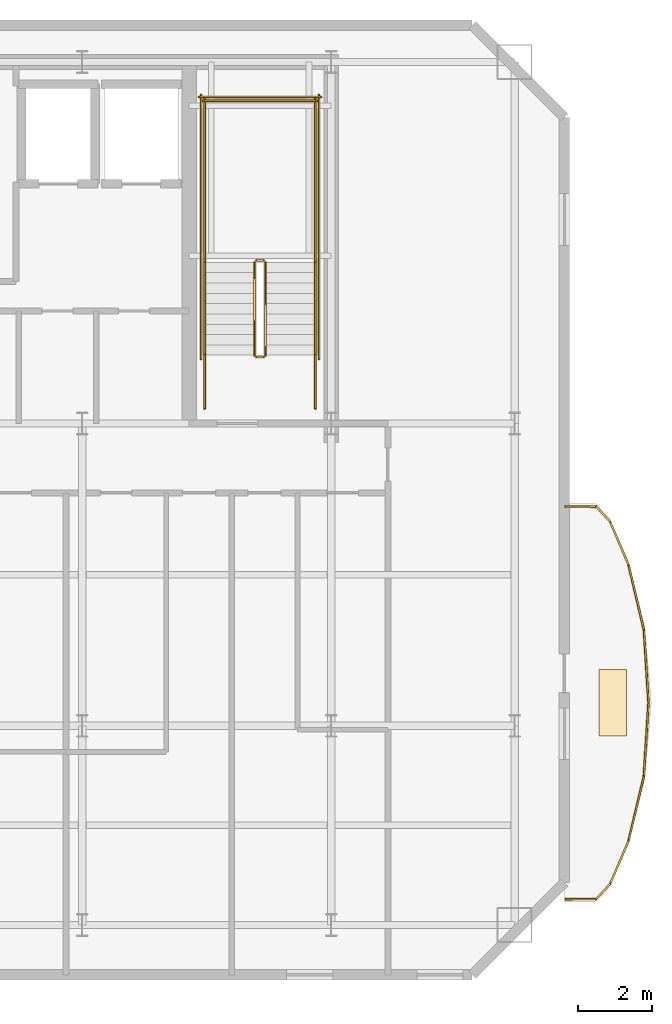
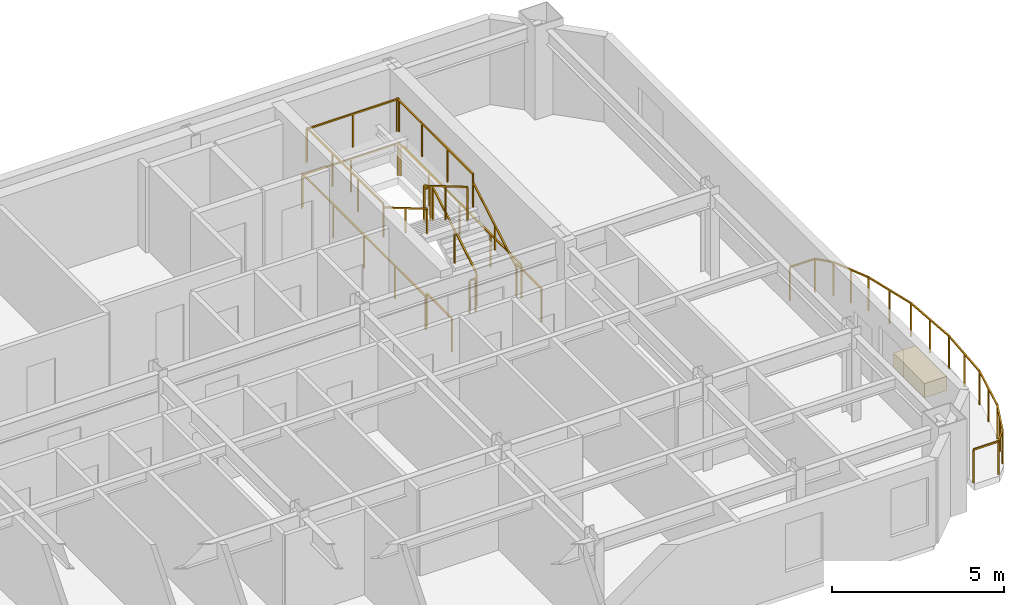
# One storey, part 6 of 6: 24 railings, 1 covering.
"""IFC4 building model written with IfcOpenShell, lengths in metres."""

from ifc_helpers import new_model, si_unit, direction, frame, origin, origin_2d, place, context, subcontext, project, spatial, rectangle, extrude, material, layer, layer_set, type_object, element, save


model = new_model("IFC4")

# Units and contexts
model_context = context("Model", 3, precision=1e-05, world=origin(), true_north=direction((0.0, 1.0)))
body_context = subcontext(model_context, "Body", "Model", "MODEL_VIEW")
ifc_project = project(units=[si_unit("LENGTHUNIT", "METRE"), si_unit("AREAUNIT", "SQUARE_METRE"), si_unit("VOLUMEUNIT", "CUBIC_METRE"), si_unit("PLANEANGLEUNIT", "RADIAN"), si_unit("MASSUNIT", "GRAM", prefix="KILO")], contexts=[model_context])

# Site, building, storey
site_placement = place(None, origin())
site = spatial("IfcSite", under=ifc_project, at=site_placement, CompositionType="ELEMENT")
building_placement = place(site_placement, origin())
building = spatial("IfcBuilding", under=site, at=building_placement, Name="Haevon Station Towers", CompositionType="ELEMENT")
storey_placement = place(building_placement, frame((0.0, 0.0, 252.60009765625)))
storey = spatial("IfcBuildingStorey", under=building, at=storey_placement, Name="L70", CompositionType="ELEMENT", Elevation=252.60009765625)

# Railings
ifc_material_1 = material(Name="Steel S355", Category="steel")
railing_type_1 = type_object("IfcRailingType", Name="GRD-EXT1200", PredefinedType="GUARDRAIL", material=ifc_material_1)
railing_1_placement = place(storey_placement, frame((57.348876953125, 25.302734375, 0.0)))
element("IfcRailing", 1, at=railing_1_placement, inside=storey, type_object=railing_type_1, Name="L70 Perimeter Guardrail 1", PredefinedType="GUARDRAIL", context=body_context, shape_type="SweptSolid", body=[
    extrude(rectangle(XDim=0.048095703125, YDim=0.048095703125, at=origin_2d()), frame((0.0, 0.0, 1.17578125), z_axis=(0.999997283225, 0.002330995998, 0.0), x_axis=(-0.002330995998, 0.999997283225, 0.0)), (0.0, 0.0, 1.0), 0.837890625),
    extrude(rectangle(XDim=0.0419921875, YDim=0.0419921875, at=origin_2d()), origin(), (0.0, 0.0, 1.0), 1.15185546875),
    extrude(rectangle(XDim=0.0419921875, YDim=0.0419921875, at=origin_2d()), frame((0.837890625, 0.001953125, 0.0)), (0.0, 0.0, 1.0), 1.15185546875),
])
railing_2_placement = place(storey_placement, frame((58.186767578125, 25.3046875, 0.0)))
element("IfcRailing", 2, at=railing_2_placement, inside=storey, type_object=railing_type_1, Name="L70 Perimeter Guardrail 2", PredefinedType="GUARDRAIL", context=body_context, shape_type="SweptSolid", body=[
    extrude(rectangle(XDim=0.048095703125, YDim=0.048095703125, at=origin_2d()), frame((0.0, 0.0, 1.17578125), z_axis=(0.676061194254, 0.736845480154, 0.0), x_axis=(-0.736845480154, 0.676061194254, 0.0)), (0.0, 0.0, 1.0), 0.558349609375),
    extrude(rectangle(XDim=0.0419921875, YDim=0.0419921875, at=origin_2d()), origin(), (0.0, 0.0, 1.0), 1.15185546875),
    extrude(rectangle(XDim=0.0419921875, YDim=0.0419921875, at=origin_2d()), frame((0.37744140625, 0.411376953125, 0.0)), (0.0, 0.0, 1.0), 1.15185546875),
])
railing_3_placement = place(storey_placement, frame((58.564208984375, 25.716064453125, 0.0)))
element("IfcRailing", 3, at=railing_3_placement, inside=storey, type_object=railing_type_1, Name="L70 Perimeter Guardrail 3", PredefinedType="GUARDRAIL", context=body_context, shape_type="SweptSolid", body=[
    extrude(rectangle(XDim=0.048095703125, YDim=0.048095703125, at=origin_2d()), frame((0.0, 0.0, 1.17578125), z_axis=(0.39299272826, 0.919541579014, 0.0), x_axis=(-0.919541579014, 0.39299272826, 0.0)), (0.0, 0.0, 1.0), 1.272216796875),
    extrude(rectangle(XDim=0.0419921875, YDim=0.0419921875, at=origin_2d()), origin(), (0.0, 0.0, 1.0), 1.15185546875),
    extrude(rectangle(XDim=0.0419921875, YDim=0.0419921875, at=origin_2d()), frame((0.25, 0.5849609375, 0.0)), (0.0, 0.0, 1.0), 1.15185546875),
    extrude(rectangle(XDim=0.0419921875, YDim=0.0419921875, at=origin_2d()), frame((0.5, 1.169921875, 0.0)), (0.0, 0.0, 1.0), 1.15185546875),
])
railing_4_placement = place(storey_placement, frame((59.064208984375, 26.885986328125, 0.0)))
element("IfcRailing", 4, at=railing_4_placement, inside=storey, type_object=railing_type_1, Name="L70 Perimeter Guardrail 4", PredefinedType="GUARDRAIL", context=body_context, shape_type="SweptSolid", body=[
    extrude(rectangle(XDim=0.048095703125, YDim=0.048095703125, at=origin_2d()), frame((0.0, 0.0, 1.17578125), z_axis=(0.230320614681, 0.973114800244, 0.0), x_axis=(-0.973114800244, 0.230320614681, 0.0)), (0.0, 0.0, 1.0), 1.794677734375),
    extrude(rectangle(XDim=0.0419921875, YDim=0.0419921875, at=origin_2d()), origin(), (0.0, 0.0, 1.0), 1.15185546875),
    extrude(rectangle(XDim=0.0419921875, YDim=0.0419921875, at=origin_2d()), frame((0.20654296875, 0.873046875, 0.0)), (0.0, 0.0, 1.0), 1.15185546875),
    extrude(rectangle(XDim=0.0419921875, YDim=0.0419921875, at=origin_2d()), frame((0.413330078125, 1.746337890625, 0.0)), (0.0, 0.0, 1.0), 1.15185546875),
])
railing_5_placement = place(storey_placement, frame((59.4775390625, 28.63232421875, 0.0)))
element("IfcRailing", 5, at=railing_5_placement, inside=storey, type_object=railing_type_1, Name="L70 Perimeter Guardrail 5", PredefinedType="GUARDRAIL", context=body_context, shape_type="SweptSolid", body=[
    extrude(rectangle(XDim=0.048095703125, YDim=0.048095703125, at=origin_2d()), frame((0.0, 0.0, 1.17578125), z_axis=(0.063215626586, 0.997999892062, 0.0), x_axis=(-0.997999892062, 0.063215626586, 0.0)), (0.0, 0.0, 1.0), 1.99658203125),
    extrude(rectangle(XDim=0.0419921875, YDim=0.0419921875, at=origin_2d()), origin(), (0.0, 0.0, 1.0), 1.15185546875),
    extrude(rectangle(XDim=0.0419921875, YDim=0.0419921875, at=origin_2d()), frame((0.06298828125, 0.996337890625, 0.0)), (0.0, 0.0, 1.0), 1.15185546875),
    extrude(rectangle(XDim=0.0419921875, YDim=0.0419921875, at=origin_2d()), frame((0.126220703125, 1.99267578125, 0.0)), (0.0, 0.0, 1.0), 1.15185546875),
])
railing_6_placement = place(storey_placement, frame((59.603759765625, 30.625, 0.0)))
element("IfcRailing", 6, at=railing_6_placement, inside=storey, type_object=railing_type_1, Name="L70 Perimeter Guardrail 6", PredefinedType="GUARDRAIL", context=body_context, shape_type="SweptSolid", body=[
    extrude(rectangle(XDim=0.048095703125, YDim=0.048095703125, at=origin_2d()), frame((0.0, 0.0, 1.17578125), z_axis=(-0.063215626586, 0.997999892062, 0.0), x_axis=(-0.997999892062, -0.063215626586, 0.0)), (0.0, 0.0, 1.0), 1.99658203125),
    extrude(rectangle(XDim=0.0419921875, YDim=0.0419921875, at=origin_2d()), origin(), (0.0, 0.0, 1.0), 1.15185546875),
    extrude(rectangle(XDim=0.0419921875, YDim=0.0419921875, at=origin_2d()), frame((-0.06298828125, 0.996337890625, 0.0)), (0.0, 0.0, 1.0), 1.15185546875),
    extrude(rectangle(XDim=0.0419921875, YDim=0.0419921875, at=origin_2d()), frame((-0.126220703125, 1.99267578125, 0.0)), (0.0, 0.0, 1.0), 1.15185546875),
])
railing_7_placement = place(storey_placement, frame((59.4775390625, 32.61767578125, 0.0)))
element("IfcRailing", 7, at=railing_7_placement, inside=storey, type_object=railing_type_1, Name="L70 Perimeter Guardrail 7", PredefinedType="GUARDRAIL", context=body_context, shape_type="SweptSolid", body=[
    extrude(rectangle(XDim=0.048095703125, YDim=0.048095703125, at=origin_2d()), frame((0.0, 0.0, 1.17578125), z_axis=(-0.230320614681, 0.973114800244, 0.0), x_axis=(-0.973114800244, -0.230320614681, 0.0)), (0.0, 0.0, 1.0), 1.794677734375),
    extrude(rectangle(XDim=0.0419921875, YDim=0.0419921875, at=origin_2d()), origin(), (0.0, 0.0, 1.0), 1.15185546875),
    extrude(rectangle(XDim=0.0419921875, YDim=0.0419921875, at=origin_2d()), frame((-0.20654296875, 0.873046875, 0.0)), (0.0, 0.0, 1.0), 1.15185546875),
    extrude(rectangle(XDim=0.0419921875, YDim=0.0419921875, at=origin_2d()), frame((-0.413330078125, 1.746337890625, 0.0)), (0.0, 0.0, 1.0), 1.15185546875),
])
railing_8_placement = place(storey_placement, frame((59.064208984375, 34.364013671875, 0.0)))
element("IfcRailing", 8, at=railing_8_placement, inside=storey, type_object=railing_type_1, Name="L70 Perimeter Guardrail 8", PredefinedType="GUARDRAIL", context=body_context, shape_type="SweptSolid", body=[
    extrude(rectangle(XDim=0.048095703125, YDim=0.048095703125, at=origin_2d()), frame((0.0, 0.0, 1.17578125), z_axis=(-0.39299272826, 0.919541579014, 0.0), x_axis=(-0.919541579014, -0.39299272826, 0.0)), (0.0, 0.0, 1.0), 1.272216796875),
    extrude(rectangle(XDim=0.0419921875, YDim=0.0419921875, at=origin_2d()), origin(), (0.0, 0.0, 1.0), 1.15185546875),
    extrude(rectangle(XDim=0.0419921875, YDim=0.0419921875, at=origin_2d()), frame((-0.25, 0.5849609375, 0.0)), (0.0, 0.0, 1.0), 1.15185546875),
    extrude(rectangle(XDim=0.0419921875, YDim=0.0419921875, at=origin_2d()), frame((-0.5, 1.169921875, 0.0)), (0.0, 0.0, 1.0), 1.15185546875),
])
railing_9_placement = place(storey_placement, frame((58.564208984375, 35.533935546875, 0.0)))
element("IfcRailing", 9, at=railing_9_placement, inside=storey, type_object=railing_type_1, Name="L70 Perimeter Guardrail 9", PredefinedType="GUARDRAIL", context=body_context, shape_type="SweptSolid", body=[
    extrude(rectangle(XDim=0.048095703125, YDim=0.048095703125, at=origin_2d()), frame((0.0, 0.0, 1.17578125), z_axis=(-0.676061194254, 0.736845480154, 0.0), x_axis=(-0.736845480154, -0.676061194254, 0.0)), (0.0, 0.0, 1.0), 0.558349609375),
    extrude(rectangle(XDim=0.0419921875, YDim=0.0419921875, at=origin_2d()), origin(), (0.0, 0.0, 1.0), 1.15185546875),
    extrude(rectangle(XDim=0.0419921875, YDim=0.0419921875, at=origin_2d()), frame((-0.37744140625, 0.411376953125, 0.0)), (0.0, 0.0, 1.0), 1.15185546875),
])
railing_10_placement = place(storey_placement, frame((58.186767578125, 35.9453125, 0.0)))
element("IfcRailing", 10, at=railing_10_placement, inside=storey, type_object=railing_type_1, Name="L70 Perimeter Guardrail 10", PredefinedType="GUARDRAIL", context=body_context, shape_type="SweptSolid", body=[
    extrude(rectangle(XDim=0.048095703125, YDim=0.048095703125, at=origin_2d()), frame((0.0, 0.0, 1.17578125), z_axis=(-0.999997283225, 0.002330995998, 0.0), x_axis=(-0.002330995998, -0.999997283225, 0.0)), (0.0, 0.0, 1.0), 0.837890625),
    extrude(rectangle(XDim=0.0419921875, YDim=0.0419921875, at=origin_2d()), origin(), (0.0, 0.0, 1.0), 1.15185546875),
    extrude(rectangle(XDim=0.0419921875, YDim=0.0419921875, at=origin_2d()), frame((-0.837890625, 0.001953125, 0.0)), (0.0, 0.0, 1.0), 1.15185546875),
])
railing_type_2 = type_object("IfcRailingType", Name="GRD-STR1200", PredefinedType="GUARDRAIL", material=ifc_material_1)
railing_11_placement = place(storey_placement, frame((49.219970703125, 40.050048828125, 0.164794921875)))
element("IfcRailing", 11, at=railing_11_placement, inside=storey, type_object=railing_type_2, Name="L70 ST2 Stair Guard 1", PredefinedType="GUARDRAIL", context=body_context, shape_type="SweptSolid", body=[
    extrude(rectangle(XDim=0.048095703125, YDim=0.048095703125, at=origin_2d()), frame((0.0, 0.0, 1.17578125), z_axis=(0.0, 0.86152411907, 0.507716645641), x_axis=(-1.0, 0.0, 0.0)), (0.0, 0.0, 1.0), 2.925048828125),
    extrude(rectangle(XDim=0.0419921875, YDim=0.0419921875, at=origin_2d()), origin(), (0.0, 0.0, 1.0), 1.15185546875),
    extrude(rectangle(XDim=0.0419921875, YDim=0.0419921875, at=origin_2d()), frame((0.0, 1.260009765625, 0.74267578125)), (0.0, 0.0, 1.0), 1.15185546875),
    extrude(rectangle(XDim=0.0419921875, YDim=0.0419921875, at=origin_2d()), frame((0.0, 2.52001953125, 1.485107421875)), (0.0, 0.0, 1.0), 1.15185546875),
])
railing_12_placement = place(storey_placement, frame((49.169921875, 42.6201171875, 1.64990234375)))
element("IfcRailing", 12, at=railing_12_placement, inside=storey, type_object=railing_type_2, Name="L70 ST2 Stair Guard 2", PredefinedType="GUARDRAIL", context=body_context, shape_type="SweptSolid", body=[
    extrude(rectangle(XDim=0.048095703125, YDim=0.048095703125, at=origin_2d()), frame((0.0, 0.0, 1.17578125), z_axis=(-1.0, 0.0, 0.0), x_axis=(0.0, -1.0, 0.0)), (0.0, 0.0, 1.0), 0.199951171875),
    extrude(rectangle(XDim=0.0419921875, YDim=0.0419921875, at=origin_2d()), origin(), (0.0, 0.0, 1.0), 1.15185546875),
    extrude(rectangle(XDim=0.0419921875, YDim=0.0419921875, at=origin_2d()), frame((-0.199951171875, 0.0, 0.0)), (0.0, 0.0, 1.0), 1.15185546875),
])
for number, where, name in (
    (13, (50.570068359375, 42.570068359375, 1.64990234375), "L70 ST2 Stair Guard 3"),
    (14, (47.570068359375, 42.570068359375, 1.64990234375), "L70 ST2 Stair Guard 4"),
):
    element("IfcRailing", number, at=place(storey_placement, frame(where)), inside=storey, type_object=railing_type_2, Name=name, PredefinedType="GUARDRAIL", context=body_context, shape_type="SweptSolid", body=[
        extrude(rectangle(XDim=0.048095703125, YDim=0.048095703125, at=origin_2d()), frame((0.0, 0.0, 1.17578125), z_axis=(0.0, 1.0, 0.0), x_axis=(-1.0, 0.0, 0.0)), (0.0, 0.0, 1.0), 4.429931640625),
        extrude(rectangle(XDim=0.0419921875, YDim=0.0419921875, at=origin_2d()), origin(), (0.0, 0.0, 1.0), 1.15185546875),
        extrude(rectangle(XDim=0.0419921875, YDim=0.0419921875, at=origin_2d()), frame((0.0, 1.4765625, 0.0)), (0.0, 0.0, 1.0), 1.15185546875),
        extrude(rectangle(XDim=0.0419921875, YDim=0.0419921875, at=origin_2d()), frame((0.0, 2.953369140625, 0.0)), (0.0, 0.0, 1.0), 1.15185546875),
        extrude(rectangle(XDim=0.0419921875, YDim=0.0419921875, at=origin_2d()), frame((0.0, 4.429931640625, 0.0)), (0.0, 0.0, 1.0), 1.15185546875),
    ])
railing_13_placement = place(storey_placement, frame((50.6201171875, 46.949951171875, 1.64990234375)))
element("IfcRailing", 15, at=railing_13_placement, inside=storey, type_object=railing_type_2, Name="L70 ST2 Stair Guard 5", PredefinedType="GUARDRAIL", context=body_context, shape_type="SweptSolid", body=[
    extrude(rectangle(XDim=0.048095703125, YDim=0.048095703125, at=origin_2d()), frame((0.0, 0.0, 1.17578125), z_axis=(-1.0, 0.0, 0.0), x_axis=(0.0, -1.0, 0.0)), (0.0, 0.0, 1.0), 3.10009765625),
    extrude(rectangle(XDim=0.0419921875, YDim=0.0419921875, at=origin_2d()), origin(), (0.0, 0.0, 1.0), 1.15185546875),
    extrude(rectangle(XDim=0.0419921875, YDim=0.0419921875, at=origin_2d()), frame((-1.550048828125, 0.0, 0.0)), (0.0, 0.0, 1.0), 1.15185546875),
    extrude(rectangle(XDim=0.0419921875, YDim=0.0419921875, at=origin_2d()), frame((-3.10009765625, 0.0, 0.0)), (0.0, 0.0, 1.0), 1.15185546875),
])
railing_14_placement = place(storey_placement, frame((48.919921875, 42.570068359375, 1.81494140625)))
element("IfcRailing", 16, at=railing_14_placement, inside=storey, type_object=railing_type_2, Name="L70 ST2 Stair Guard 6", PredefinedType="GUARDRAIL", context=body_context, shape_type="SweptSolid", body=[
    extrude(rectangle(XDim=0.048095703125, YDim=0.048095703125, at=origin_2d()), frame((0.0, 0.0, 1.17578125), z_axis=(0.0, -0.861560626758, 0.507654692109), x_axis=(1.0, 0.0, 0.0)), (0.0, 0.0, 1.0), 2.925048828125),
    extrude(rectangle(XDim=0.0419921875, YDim=0.0419921875, at=origin_2d()), origin(), (0.0, 0.0, 1.0), 1.15185546875),
    extrude(rectangle(XDim=0.0419921875, YDim=0.0419921875, at=origin_2d()), frame((0.0, -1.260009765625, 0.742431640625)), (0.0, 0.0, 1.0), 1.15185546875),
    extrude(rectangle(XDim=0.0419921875, YDim=0.0419921875, at=origin_2d()), frame((0.0, -2.52001953125, 1.48486328125)), (0.0, 0.0, 1.0), 1.15185546875),
])
railing_15_placement = place(storey_placement, frame((49.169921875, 40.0, 0.0)))
element("IfcRailing", 17, at=railing_15_placement, inside=storey, type_object=railing_type_2, Name="L70 ST2 Stair Guard 7", PredefinedType="GUARDRAIL", context=body_context, shape_type="SweptSolid", body=[
    extrude(rectangle(XDim=0.048095703125, YDim=0.048095703125, at=origin_2d()), frame((0.0, 0.0, 1.17578125), z_axis=(-1.0, 0.0, 0.0), x_axis=(0.0, -1.0, 0.0)), (0.0, 0.0, 1.0), 0.199951171875),
    extrude(rectangle(XDim=0.0419921875, YDim=0.0419921875, at=origin_2d()), origin(), (0.0, 0.0, 1.0), 1.15185546875),
    extrude(rectangle(XDim=0.0419921875, YDim=0.0419921875, at=origin_2d()), frame((-0.199951171875, 0.0, 0.0)), (0.0, 0.0, 1.0), 1.15185546875),
])
for number, where, name in (
    (18, (50.570068359375, 38.60009765625, 0.0), "L70 ST2 Stair Guard 8"),
    (19, (47.570068359375, 38.60009765625, 0.0), "L70 ST2 Stair Guard 9"),
):
    element("IfcRailing", number, at=place(storey_placement, frame(where)), inside=storey, type_object=railing_type_2, Name=name, PredefinedType="GUARDRAIL", context=body_context, shape_type="SweptSolid", body=[
        extrude(rectangle(XDim=0.048095703125, YDim=0.048095703125, at=origin_2d()), frame((0.0, 0.0, 1.17578125), z_axis=(0.0, 1.0, 0.0), x_axis=(-1.0, 0.0, 0.0)), (0.0, 0.0, 1.0), 1.449951171875),
        extrude(rectangle(XDim=0.0419921875, YDim=0.0419921875, at=origin_2d()), origin(), (0.0, 0.0, 1.0), 1.15185546875),
        extrude(rectangle(XDim=0.0419921875, YDim=0.0419921875, at=origin_2d()), frame((0.0, 1.449951171875, 0.0)), (0.0, 0.0, 1.0), 1.15185546875),
    ])
for number, where, name in (
    (20, (50.669921875, 39.949951171875, 0.0), "L70 ST2 Stair Guard 10"),
    (21, (47.469970703125, 39.949951171875, 0.0), "L70 ST2 Stair Guard 11"),
):
    element("IfcRailing", number, at=place(storey_placement, frame(where)), inside=storey, type_object=railing_type_2, Name=name, PredefinedType="GUARDRAIL", context=body_context, shape_type="SweptSolid", body=[
        extrude(rectangle(XDim=0.048095703125, YDim=0.048095703125, at=origin_2d()), frame((0.0, 0.0, 1.17578125), z_axis=(0.0, 1.0, 0.0), x_axis=(-1.0, 0.0, 0.0)), (0.0, 0.0, 1.0), 7.150146484375),
        extrude(rectangle(XDim=0.0419921875, YDim=0.0419921875, at=origin_2d()), origin(), (0.0, 0.0, 1.0), 1.15185546875),
        extrude(rectangle(XDim=0.0419921875, YDim=0.0419921875, at=origin_2d()), frame((0.0, 1.78759765625, 0.0)), (0.0, 0.0, 1.0), 1.15185546875),
        extrude(rectangle(XDim=0.0419921875, YDim=0.0419921875, at=origin_2d()), frame((0.0, 3.5751953125, 0.0)), (0.0, 0.0, 1.0), 1.15185546875),
        extrude(rectangle(XDim=0.0419921875, YDim=0.0419921875, at=origin_2d()), frame((0.0, 5.362548828125, 0.0)), (0.0, 0.0, 1.0), 1.15185546875),
        extrude(rectangle(XDim=0.0419921875, YDim=0.0419921875, at=origin_2d()), frame((0.0, 7.150146484375, 0.0)), (0.0, 0.0, 1.0), 1.15185546875),
    ])
railing_16_placement = place(storey_placement, frame((50.719970703125, 47.050048828125, 0.0)))
element("IfcRailing", 22, at=railing_16_placement, inside=storey, type_object=railing_type_2, Name="L70 ST2 Stair Guard 12", PredefinedType="GUARDRAIL", context=body_context, shape_type="SweptSolid", body=[
    extrude(rectangle(XDim=0.048095703125, YDim=0.048095703125, at=origin_2d()), frame((0.0, 0.0, 1.17578125), z_axis=(-1.0, 0.0, 0.0), x_axis=(0.0, -1.0, 0.0)), (0.0, 0.0, 1.0), 3.300048828125),
    extrude(rectangle(XDim=0.0419921875, YDim=0.0419921875, at=origin_2d()), origin(), (0.0, 0.0, 1.0), 1.15185546875),
    extrude(rectangle(XDim=0.0419921875, YDim=0.0419921875, at=origin_2d()), frame((-1.64990234375, 0.0, 0.0)), (0.0, 0.0, 1.0), 1.15185546875),
    extrude(rectangle(XDim=0.0419921875, YDim=0.0419921875, at=origin_2d()), frame((-3.300048828125, 0.0, 0.0)), (0.0, 0.0, 1.0), 1.15185546875),
])
railing_type_3 = type_object("IfcRailingType", Name="HND-STR900", PredefinedType="HANDRAIL", material=ifc_material_1)
railing_17_placement = place(storey_placement, frame((50.570068359375, 40.050048828125, 0.164794921875)))
element("IfcRailing", 23, at=railing_17_placement, inside=storey, type_object=railing_type_3, Name="L70 ST2 Stair Handrail 1", PredefinedType="HANDRAIL", context=body_context, shape_type="SweptSolid", body=[
    extrude(rectangle(XDim=0.048095703125, YDim=0.048095703125, at=origin_2d()), frame((0.0, 0.0, 0.8759765625), z_axis=(0.0, 0.86152411907, 0.507716645641), x_axis=(-1.0, 0.0, 0.0)), (0.0, 0.0, 1.0), 2.925048828125),
    extrude(rectangle(XDim=0.0419921875, YDim=0.0419921875, at=origin_2d()), origin(), (0.0, 0.0, 1.0), 0.851806640625),
    extrude(rectangle(XDim=0.0419921875, YDim=0.0419921875, at=origin_2d()), frame((0.0, 1.260009765625, 0.74267578125)), (0.0, 0.0, 1.0), 0.851806640625),
    extrude(rectangle(XDim=0.0419921875, YDim=0.0419921875, at=origin_2d()), frame((0.0, 2.52001953125, 1.485107421875)), (0.0, 0.0, 1.0), 0.851806640625),
])
railing_18_placement = place(storey_placement, frame((47.570068359375, 42.570068359375, 1.81494140625)))
element("IfcRailing", 24, at=railing_18_placement, inside=storey, type_object=railing_type_3, Name="L70 ST2 Stair Handrail 2", PredefinedType="HANDRAIL", context=body_context, shape_type="SweptSolid", body=[
    extrude(rectangle(XDim=0.048095703125, YDim=0.048095703125, at=origin_2d()), frame((0.0, 0.0, 0.8759765625), z_axis=(0.0, -0.861560626758, 0.507654692109), x_axis=(1.0, 0.0, 0.0)), (0.0, 0.0, 1.0), 2.925048828125),
    extrude(rectangle(XDim=0.0419921875, YDim=0.0419921875, at=origin_2d()), origin(), (0.0, 0.0, 1.0), 0.851806640625),
    extrude(rectangle(XDim=0.0419921875, YDim=0.0419921875, at=origin_2d()), frame((0.0, -1.260009765625, 0.742431640625)), (0.0, 0.0, 1.0), 0.851806640625),
    extrude(rectangle(XDim=0.0419921875, YDim=0.0419921875, at=origin_2d()), frame((0.0, -2.52001953125, 1.48486328125)), (0.0, 0.0, 1.0), 0.851806640625),
])

# Covering
ifc_material_2 = material(Name="Architectural planter GRC", Category="concrete")
ifc_layer = layer(ifc_material_2, 0.550048828125)
ifc_layer_set = layer_set([ifc_layer], Name="Architectural planter GRC")
covering_type = type_object("IfcCoveringType", Name="PLN-GRC550", PredefinedType="MOLDING", material=ifc_layer_set)
covering_placement = place(storey_placement, frame((58.6357421875, 30.625, 0.0), z_axis=(0.0, 0.0, 1.0), x_axis=(1.0, 0.0, 0.0)))
element("IfcCovering", 25, at=covering_placement, inside=storey, type_object=covering_type, Name="Tower 1 L70 Scalloped Balcony PLANTER", PredefinedType="MOLDING", context=body_context, shape_type="SweptSolid", body=[
    extrude(rectangle(XDim=0.75, YDim=1.800048828125, at=origin_2d()), origin(), (0.0, 0.0, 1.0), 0.5),
])

save(model, "model.ifc")
